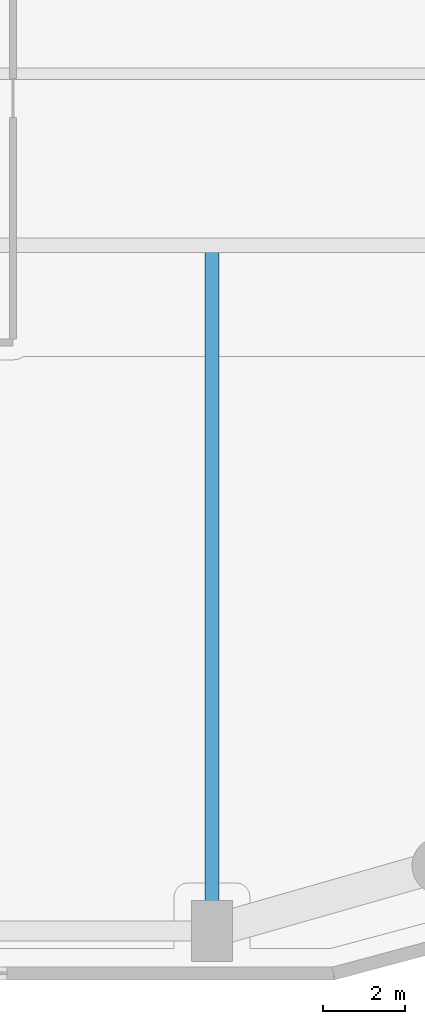
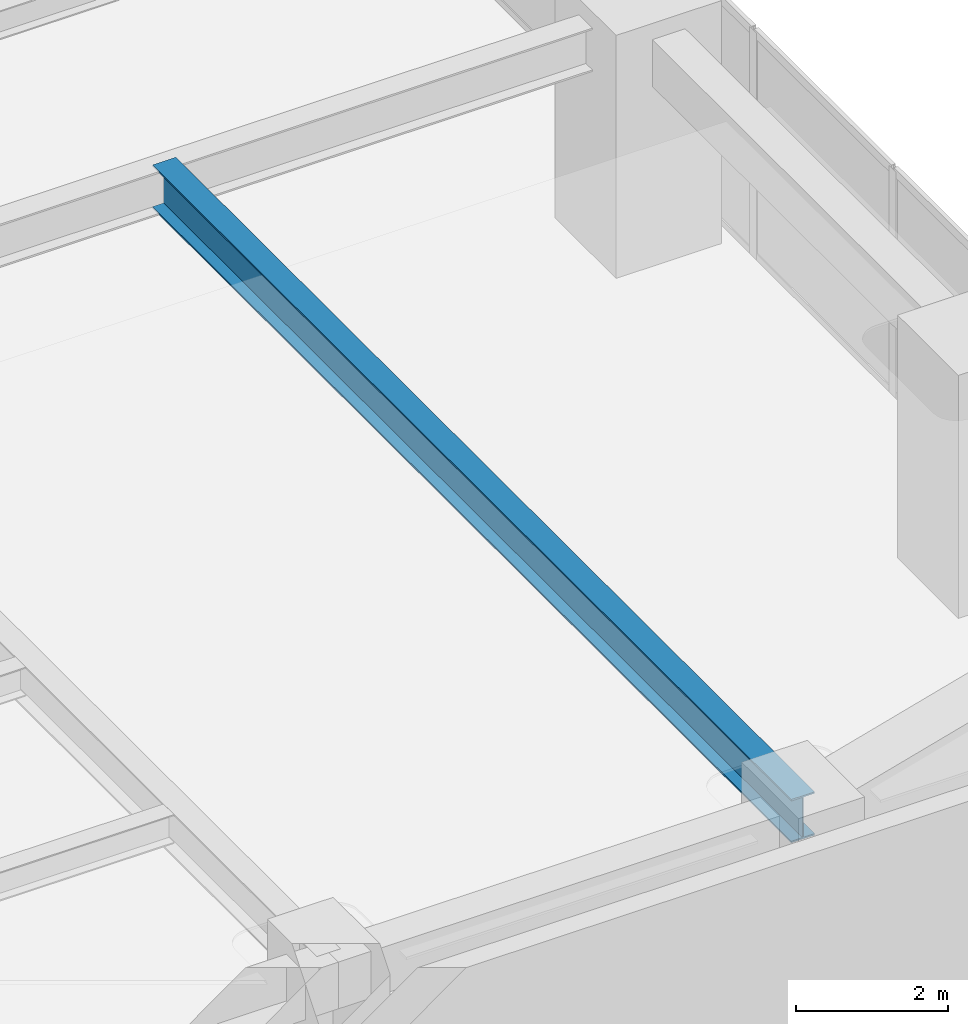
# One storey, part 5 of 28: 1 beam.
"""IFC4 building model written with IfcOpenShell, lengths in metres."""

from ifc_helpers import new_model, si_unit, direction, frame, origin, origin_2d, place, context, subcontext, project, spatial, i_section, extrude, material, material_profile, profile_set, type_object, element, save


model = new_model("IFC4")

# Units and contexts
model_context = context("Model", 3, precision=1e-05, world=origin(), true_north=direction((0.0, 1.0)))
body_context = subcontext(model_context, "Body", "Model", "MODEL_VIEW")
ifc_project = project(units=[si_unit("LENGTHUNIT", "METRE"), si_unit("AREAUNIT", "SQUARE_METRE"), si_unit("VOLUMEUNIT", "CUBIC_METRE"), si_unit("PLANEANGLEUNIT", "RADIAN"), si_unit("MASSUNIT", "GRAM", prefix="KILO")], contexts=[model_context])

# Site, building, storey
site_placement = place(None, origin())
site = spatial("IfcSite", under=ifc_project, at=site_placement, CompositionType="ELEMENT")
building_placement = place(site_placement, origin())
building = spatial("IfcBuilding", under=site, at=building_placement, Name="Kiyonajd Concourse Tower", CompositionType="ELEMENT")
storey_placement = place(building_placement, frame((0.0, 0.0, 41.10009765625)))
storey = spatial("IfcBuildingStorey", under=building, at=storey_placement, Name="L11", CompositionType="ELEMENT", Elevation=41.10009765625)

# Beam
ifc_material = material(Name="Steel ASTM A992 Grade 50", Category="steel")
ifc_material_profile = material_profile(ifc_material, i_section(OverallWidth=0.35498046875, OverallDepth=0.695068359375, WebThickness=0.015380859375, FlangeThickness=0.02490234375, at=origin_2d()), Name="W690X217")
ifc_profile_set = profile_set([ifc_material_profile], Name="Steel ASTM A992 Grade 50")
beam_type = type_object("IfcBeamType", Name="BM-TWR-690", PredefinedType="BEAM", material=ifc_profile_set)
beam_placement = place(storey_placement, frame((70.800048828125, 10.800048828125, 3.29248046875), z_axis=(0.0, 1.0, 0.0), x_axis=(-1.0, 0.0, 0.0)))
element("IfcBeam", 1, at=beam_placement, inside=storey, type_object=beam_type, Name="L11 South Lease Girder", PredefinedType="BEAM", context=body_context, shape_type="SweptSolid", body=[
    extrude(i_section(OverallWidth=0.35498046875, OverallDepth=0.695068359375, WebThickness=0.015380859375, FlangeThickness=0.02490234375, at=origin_2d()), origin(), (0.0, 0.0, 1.0), 16.800048828125),
])

save(model, "model.ifc")
